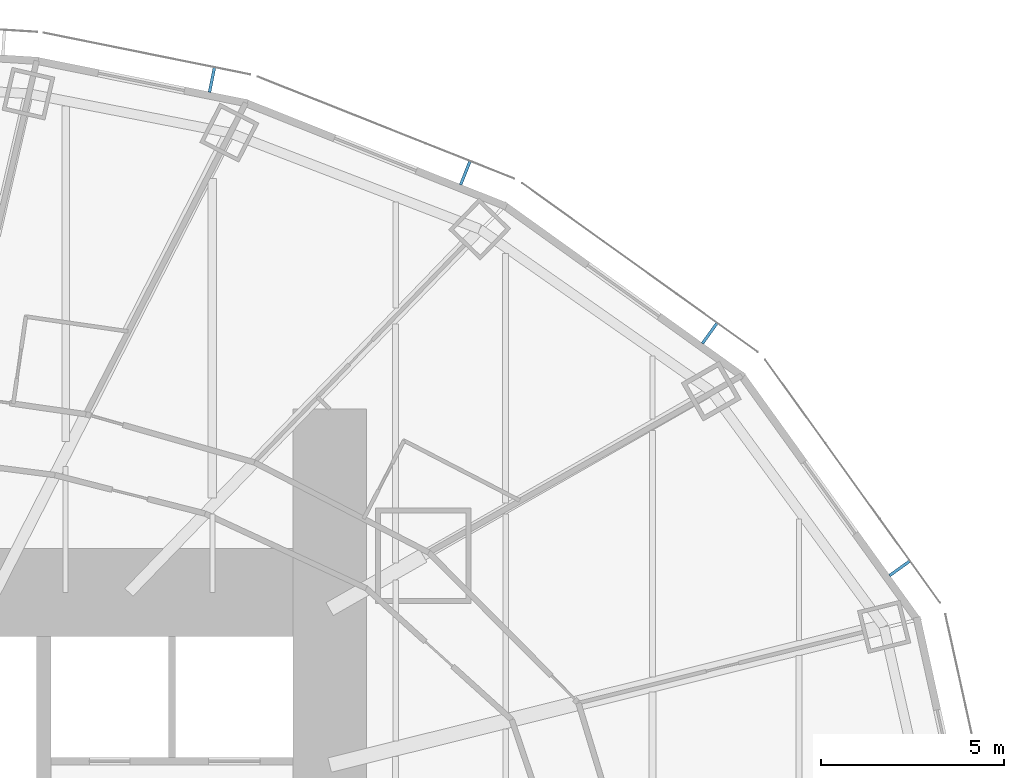
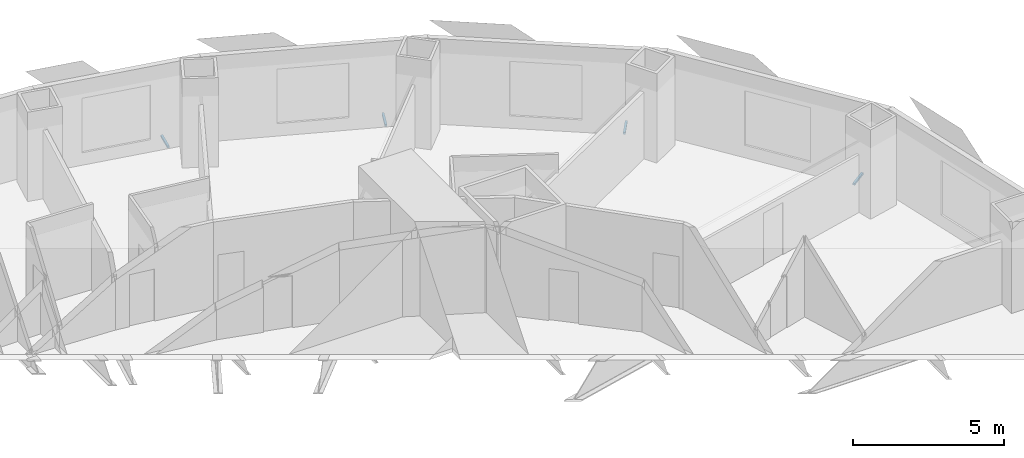
# One storey, part 12 of 15: 4 discrete accessories.
"""IFC4 building model written with IfcOpenShell, lengths in metres."""

from ifc_helpers import new_model, si_unit, direction, frame, origin, origin_2d, place, context, subcontext, project, spatial, rectangle, extrude, element, save


model = new_model("IFC4")

# Units and contexts
model_context = context("Model", 3, precision=1e-05, world=origin(), true_north=direction((0.0, 1.0)))
body_context = subcontext(model_context, "Body", "Model", "MODEL_VIEW")
ifc_project = project(units=[si_unit("LENGTHUNIT", "METRE"), si_unit("AREAUNIT", "SQUARE_METRE"), si_unit("VOLUMEUNIT", "CUBIC_METRE"), si_unit("PLANEANGLEUNIT", "RADIAN"), si_unit("MASSUNIT", "GRAM", prefix="KILO")], contexts=[model_context])

# Site, building, storey
site_placement = place(None, origin())
site = spatial("IfcSite", under=ifc_project, at=site_placement, CompositionType="ELEMENT")
building_placement = place(site_placement, origin())
building = spatial("IfcBuilding", under=site, at=building_placement, Name="Lantaw Convention Tower", CompositionType="ELEMENT")
storey_placement = place(building_placement, frame((0.0, 0.0, 51.39990234375)))
storey = spatial("IfcBuildingStorey", under=building, at=storey_placement, Name="L10", CompositionType="ELEMENT", Elevation=51.39990234375)

# Discrete accessories
for number, where, z_axis, x_axis, name in (
    (1, (28.745849609375, 8.65869140625, -0.114990234375), (0.0, 0.0, 1.0), (-0.583951250436, 0.811788726895, 0.0), "Screen bracket"),
    (2, (23.564453125, 15.06640625, -0.114990234375), (0.0, 0.0, 1.0), (-0.812803733199, 0.5825376308, 0.0), "Screen bracket"),
    (3, (16.898193359375, 19.4345703125, -0.114990234375), (0.0, 0.0, 1.0), (-0.929361152748, 0.369171840425, 0.0), "Screen bracket"),
    (4, (9.990478515625, 21.974365234375, -0.114990234375), (0.0, 0.0, 1.0), (-0.980244604501, 0.197789067813, 0.0), "Screen bracket"),
):
    element("IfcDiscreteAccessory", number, at=place(storey_placement, frame(where, z_axis=z_axis, x_axis=x_axis)), inside=storey, Name=name, PredefinedType="BRACKET", context=body_context, shape_type="SweptSolid", body=[
        extrude(rectangle(XDim=0.080078125, YDim=0.68798828125, at=origin_2d()), origin(), (0.0, 0.0, 1.0), 0.080078125),
    ])

save(model, "model.ifc")
